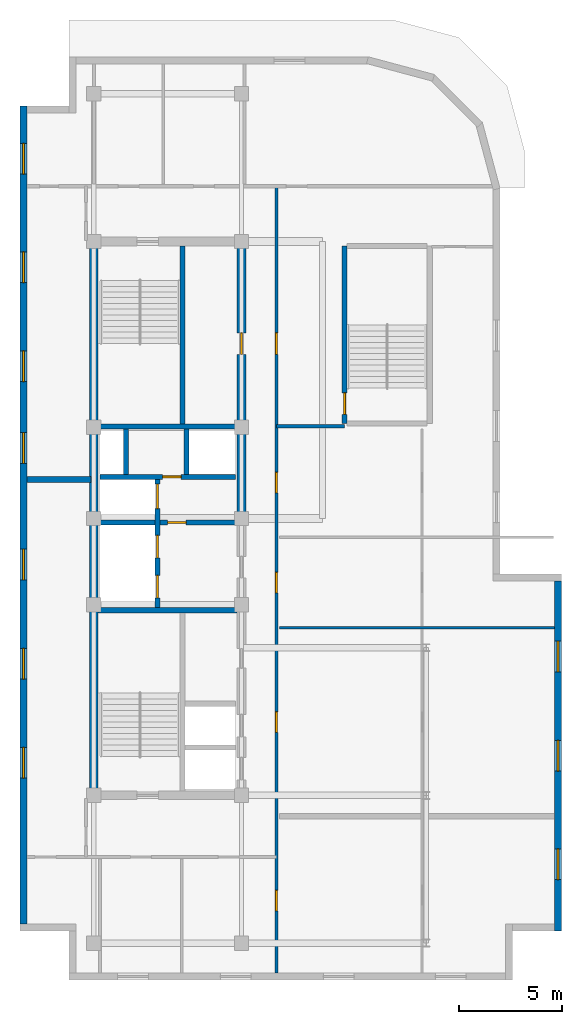
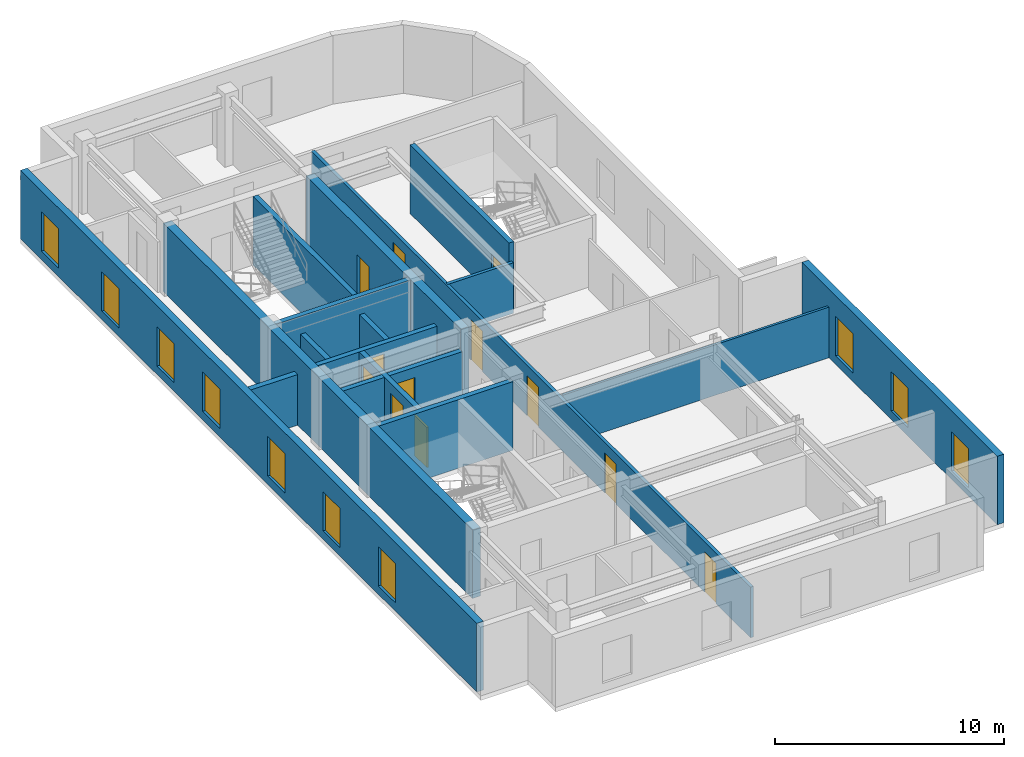
# One storey, part 3 of 5: 17 walls, 12 doors, 10 windows, 22 openings.
"""IFC4 building model written with IfcOpenShell, lengths in metres."""

from ifc_helpers import new_model, entity, si_unit, converted_unit, direction, frame, origin_with_axes, origin_2d_with_axis, place, context, subcontext, project, spatial, polyline, rectangle, outline, extrude, material, layer, layer_set, type_object, element, fill, save


model = new_model("IFC4")

# Units and contexts
model_context = context("Model", 3, precision=1e-05, world=origin_with_axes(), true_north=direction((0.0, 1.0)))
body_context = subcontext(model_context, "Body", "Model", "MODEL_VIEW")
ifc_project = project(units=[si_unit("LENGTHUNIT", "METRE"), si_unit("AREAUNIT", "SQUARE_METRE"), si_unit("VOLUMEUNIT", "CUBIC_METRE"), converted_unit("PLANEANGLEUNIT", "DEGREE", entity("IfcPlaneAngleMeasure", 0.017453292519943295), si_unit("PLANEANGLEUNIT", "RADIAN"), dimensions=[0, 0, 0, 0, 0, 0, 0]), si_unit("MASSUNIT", "GRAM", prefix="KILO"), si_unit("THERMODYNAMICTEMPERATUREUNIT", "KELVIN")], contexts=[model_context])

# Site, building, storey
site_placement = place(None, origin_with_axes())
site = spatial("IfcSite", under=ifc_project, at=site_placement, CompositionType="ELEMENT")
building_placement = place(site_placement, origin_with_axes())
building = spatial("IfcBuilding", under=site, at=building_placement, Name="Varnlund Millrace Tower", CompositionType="ELEMENT")
storey_placement = place(building_placement, frame((0.0, 0.0, 295.8), z_axis=(0.0, 0.0, 1.0), x_axis=(1.0, 0.0, 0.0)))
storey = spatial("IfcBuildingStorey", under=building, at=storey_placement, Name="L73", CompositionType="ELEMENT", Elevation=295.8)

# Wall
ifc_material_1 = material(Name="Concrete C60/75", Category="concrete")
ifc_layer_1 = layer(ifc_material_1, 0.42, Name="Concrete C60/75")
ifc_layer_set_1 = layer_set([ifc_layer_1], Name="Concrete C60/75")
wall_type_1 = type_object("IfcWallType", Name="Type-CoreWall-Shear-420-C60", PredefinedType="SHEAR", material=ifc_layer_set_1)
wall_1_placement = place(storey_placement, frame((11.4, 10.8, 0.0), z_axis=(0.0, 0.0, 1.0), x_axis=(0.0, 1.0, 0.0)))
element("IfcWall", 1, at=wall_1_placement, inside=storey, type_object=wall_type_1, Name="Type-CoreWall-Shear-420-C60", PredefinedType="SHEAR", context=body_context, shape_type="SweptSolid", body=[
    extrude(outline(polyline([(0.0, -0.21), (27.0, -0.21), (27.0, 0.21), (0.0, 0.21), (0.0, -0.21)])), origin_with_axes(), (0.0, 0.0, 1.0), 3.66),
])

# Wall, opening, door
wall_2_placement = place(storey_placement, frame((18.6, 24.3, 0.0), z_axis=(0.0, 0.0, 1.0), x_axis=(0.0, 1.0, 0.0)))
wall_2 = element("IfcWall", 2, at=wall_2_placement, inside=storey, type_object=wall_type_1, Name="Type-CoreWall-Shear-420-C60", PredefinedType="SHEAR", context=body_context, shape_type="SweptSolid", body=[
    extrude(outline(polyline([(0.0, -0.21), (13.5, -0.21), (13.5, 0.21), (0.0, 0.21), (0.0, -0.21)])), origin_with_axes(), (0.0, 0.0, 1.0), 3.66),
])
opening_1_placement = place(wall_2_placement, frame((8.525, 0.0, 0.0), z_axis=(0.0, 0.0, 1.0), x_axis=(1.0, 0.0, 0.0)))
opening_1 = element("IfcOpeningElement", 3, at=opening_1_placement, cuts=wall_2, Name="Opening L73:DR-RECL-M", PredefinedType="OPENING", context=body_context, shape_type="SweptSolid", body=[
    extrude(rectangle(XDim=1.05, YDim=0.44, at=origin_2d_with_axis()), origin_with_axes(), (0.0, 0.0, 1.0), 2.15),
])
ifc_material_2 = material(Name="Smoke-barrier hollow steel fire door", Category="steel")
door_type_1 = type_object("IfcDoorType", Name="Type-FireDoor-Lobby-1050X2150", OperationType="NOTDEFINED", PredefinedType="DOOR", material=ifc_material_2)
door_1_placement = place(wall_2_placement, frame((8.525, 0.0, 0.0), z_axis=(0.0, 0.0, 1.0), x_axis=(1.0, 0.0, 0.0)))
door_1 = element("IfcDoor", 4, at=door_1_placement, inside=storey, type_object=door_type_1, Name="Type-FireDoor-Lobby-1050X2150", OperationType="SINGLE_SWING_LEFT", OverallHeight=2.15, OverallWidth=1.05, PredefinedType="DOOR", context=body_context, shape_type="SweptSolid", body=[
    extrude(rectangle(XDim=1.05, YDim=0.09, at=origin_2d_with_axis()), origin_with_axes(), (0.0, 0.0, 1.0), 2.15),
])
fill(opening_1, door_1)

# Wall, openings, windows
ifc_material_3 = material(Name="Precast concrete C50/60", Category="concrete")
ifc_layer_2 = layer(ifc_material_3, 0.34, Name="Precast concrete C50/60")
ifc_layer_set_2 = layer_set([ifc_layer_2], Name="Precast concrete C50/60")
wall_type_2 = type_object("IfcWallType", Name="Type-ExtWall-Precast-Upper-340", PredefinedType="SOLIDWALL", material=ifc_layer_set_2)
wall_3_placement = place(storey_placement, frame((7.97, 4.54, 0.0), z_axis=(0.0, 0.0, 1.0), x_axis=(0.0, 1.0, 0.0)))
wall_3 = element("IfcWall", 5, at=wall_3_placement, inside=storey, type_object=wall_type_2, Name="Type-ExtWall-Precast-Upper-340", PredefinedType="SOLIDWALL", context=body_context, shape_type="SweptSolid", body=[
    extrude(outline(polyline([(0.0, -0.17), (39.86, -0.17), (39.86, 0.17), (0.0, 0.17), (0.0, -0.17)])), origin_with_axes(), (0.0, 0.0, 1.0), 3.66),
])
opening_2_placement = place(wall_3_placement, frame((7.849, 0.0, 0.45), z_axis=(0.0, 0.0, 1.0), x_axis=(1.0, 0.0, 0.0)))
opening_2 = element("IfcOpeningElement", 6, at=opening_2_placement, cuts=wall_3, Name="Opening L73:WN-05", PredefinedType="OPENING", context=body_context, shape_type="SweptSolid", body=[
    extrude(rectangle(XDim=1.5, YDim=0.36, at=origin_2d_with_axis()), origin_with_axes(), (0.0, 0.0, 1.0), 2.1),
])
opening_3_placement = place(wall_3_placement, frame((12.681, 0.0, 0.45), z_axis=(0.0, 0.0, 1.0), x_axis=(1.0, 0.0, 0.0)))
opening_3 = element("IfcOpeningElement", 7, at=opening_3_placement, cuts=wall_3, Name="Opening L73:WN-06", PredefinedType="OPENING", context=body_context, shape_type="SweptSolid", body=[
    extrude(rectangle(XDim=1.5, YDim=0.36, at=origin_2d_with_axis()), origin_with_axes(), (0.0, 0.0, 1.0), 2.1),
])
opening_4_placement = place(wall_3_placement, frame((17.514, 0.0, 0.45), z_axis=(0.0, 0.0, 1.0), x_axis=(1.0, 0.0, 0.0)))
opening_4 = element("IfcOpeningElement", 8, at=opening_4_placement, cuts=wall_3, Name="Opening L73:WN-07", PredefinedType="OPENING", context=body_context, shape_type="SweptSolid", body=[
    extrude(rectangle(XDim=1.5, YDim=0.36, at=origin_2d_with_axis()), origin_with_axes(), (0.0, 0.0, 1.0), 2.1),
])
opening_5_placement = place(wall_3_placement, frame((23.196, 0.0, 0.45), z_axis=(0.0, 0.0, 1.0), x_axis=(1.0, 0.0, 0.0)))
opening_5 = element("IfcOpeningElement", 9, at=opening_5_placement, cuts=wall_3, Name="Opening L73:WN-08", PredefinedType="OPENING", context=body_context, shape_type="SweptSolid", body=[
    extrude(rectangle(XDim=1.5, YDim=0.36, at=origin_2d_with_axis()), origin_with_axes(), (0.0, 0.0, 1.0), 2.1),
])
opening_6_placement = place(wall_3_placement, frame((27.179, 0.0, 0.45), z_axis=(0.0, 0.0, 1.0), x_axis=(1.0, 0.0, 0.0)))
opening_6 = element("IfcOpeningElement", 10, at=opening_6_placement, cuts=wall_3, Name="Opening L73:WN-09", PredefinedType="OPENING", context=body_context, shape_type="SweptSolid", body=[
    extrude(rectangle(XDim=1.5, YDim=0.36, at=origin_2d_with_axis()), origin_with_axes(), (0.0, 0.0, 1.0), 2.1),
])
opening_7_placement = place(wall_3_placement, frame((32.011, 0.0, 0.45), z_axis=(0.0, 0.0, 1.0), x_axis=(1.0, 0.0, 0.0)))
opening_7 = element("IfcOpeningElement", 11, at=opening_7_placement, cuts=wall_3, Name="Opening L73:WN-10", PredefinedType="OPENING", context=body_context, shape_type="SweptSolid", body=[
    extrude(rectangle(XDim=1.5, YDim=0.36, at=origin_2d_with_axis()), origin_with_axes(), (0.0, 0.0, 1.0), 2.1),
])
opening_8_placement = place(wall_3_placement, frame((37.294, 0.0, 0.45), z_axis=(0.0, 0.0, 1.0), x_axis=(1.0, 0.0, 0.0)))
opening_8 = element("IfcOpeningElement", 12, at=opening_8_placement, cuts=wall_3, Name="Opening L73:WN-11", PredefinedType="OPENING", context=body_context, shape_type="SweptSolid", body=[
    extrude(rectangle(XDim=1.5, YDim=0.36, at=origin_2d_with_axis()), origin_with_axes(), (0.0, 0.0, 1.0), 2.1),
])
ifc_material_4 = material(Name="Argon low-e triple glazing in thermally broken bronze frame", Category="glass")
window_type = type_object("IfcWindowType", Name="Type-Window-Punched-1500X2100", PartitioningType="SINGLE_PANEL", PredefinedType="WINDOW", material=ifc_material_4)
window_1_placement = place(wall_3_placement, frame((7.849, 0.0, 0.45), z_axis=(0.0, 0.0, 1.0), x_axis=(1.0, 0.0, 0.0)))
window_1 = element("IfcWindow", 13, at=window_1_placement, inside=storey, type_object=window_type, Name="Type-Window-Punched-1500X2100", OverallHeight=2.1, OverallWidth=1.5, PredefinedType="WINDOW", context=body_context, shape_type="SweptSolid", body=[
    extrude(rectangle(XDim=1.5, YDim=0.09, at=origin_2d_with_axis()), origin_with_axes(), (0.0, 0.0, 1.0), 2.1),
])
fill(opening_2, window_1)
window_2_placement = place(wall_3_placement, frame((12.681, 0.0, 0.45), z_axis=(0.0, 0.0, 1.0), x_axis=(1.0, 0.0, 0.0)))
window_2 = element("IfcWindow", 14, at=window_2_placement, inside=storey, type_object=window_type, Name="Type-Window-Punched-1500X2100", OverallHeight=2.1, OverallWidth=1.5, PredefinedType="WINDOW", context=body_context, shape_type="SweptSolid", body=[
    extrude(rectangle(XDim=1.5, YDim=0.09, at=origin_2d_with_axis()), origin_with_axes(), (0.0, 0.0, 1.0), 2.1),
])
fill(opening_3, window_2)
window_3_placement = place(wall_3_placement, frame((17.514, 0.0, 0.45), z_axis=(0.0, 0.0, 1.0), x_axis=(1.0, 0.0, 0.0)))
window_3 = element("IfcWindow", 15, at=window_3_placement, inside=storey, type_object=window_type, Name="Type-Window-Punched-1500X2100", OverallHeight=2.1, OverallWidth=1.5, PredefinedType="WINDOW", context=body_context, shape_type="SweptSolid", body=[
    extrude(rectangle(XDim=1.5, YDim=0.09, at=origin_2d_with_axis()), origin_with_axes(), (0.0, 0.0, 1.0), 2.1),
])
fill(opening_4, window_3)
window_4_placement = place(wall_3_placement, frame((23.196, 0.0, 0.45), z_axis=(0.0, 0.0, 1.0), x_axis=(1.0, 0.0, 0.0)))
window_4 = element("IfcWindow", 16, at=window_4_placement, inside=storey, type_object=window_type, Name="Type-Window-Punched-1500X2100", OverallHeight=2.1, OverallWidth=1.5, PredefinedType="WINDOW", context=body_context, shape_type="SweptSolid", body=[
    extrude(rectangle(XDim=1.5, YDim=0.09, at=origin_2d_with_axis()), origin_with_axes(), (0.0, 0.0, 1.0), 2.1),
])
fill(opening_5, window_4)
window_5_placement = place(wall_3_placement, frame((27.179, 0.0, 0.45), z_axis=(0.0, 0.0, 1.0), x_axis=(1.0, 0.0, 0.0)))
window_5 = element("IfcWindow", 17, at=window_5_placement, inside=storey, type_object=window_type, Name="Type-Window-Punched-1500X2100", OverallHeight=2.1, OverallWidth=1.5, PredefinedType="WINDOW", context=body_context, shape_type="SweptSolid", body=[
    extrude(rectangle(XDim=1.5, YDim=0.09, at=origin_2d_with_axis()), origin_with_axes(), (0.0, 0.0, 1.0), 2.1),
])
fill(opening_6, window_5)
window_6_placement = place(wall_3_placement, frame((32.011, 0.0, 0.45), z_axis=(0.0, 0.0, 1.0), x_axis=(1.0, 0.0, 0.0)))
window_6 = element("IfcWindow", 18, at=window_6_placement, inside=storey, type_object=window_type, Name="Type-Window-Punched-1500X2100", OverallHeight=2.1, OverallWidth=1.5, PredefinedType="WINDOW", context=body_context, shape_type="SweptSolid", body=[
    extrude(rectangle(XDim=1.5, YDim=0.09, at=origin_2d_with_axis()), origin_with_axes(), (0.0, 0.0, 1.0), 2.1),
])
fill(opening_7, window_6)
window_7_placement = place(wall_3_placement, frame((37.294, 0.0, 0.45), z_axis=(0.0, 0.0, 1.0), x_axis=(1.0, 0.0, 0.0)))
window_7 = element("IfcWindow", 19, at=window_7_placement, inside=storey, type_object=window_type, Name="Type-Window-Punched-1500X2100", OverallHeight=2.1, OverallWidth=1.5, PredefinedType="WINDOW", context=body_context, shape_type="SweptSolid", body=[
    extrude(rectangle(XDim=1.5, YDim=0.09, at=origin_2d_with_axis()), origin_with_axes(), (0.0, 0.0, 1.0), 2.1),
])
fill(opening_8, window_7)

wall_4_placement = place(storey_placement, frame((34.03, 21.26, 0.0), z_axis=(0.0, 0.0, 1.0), x_axis=(0.0, -1.0, 0.0)))
wall_4 = element("IfcWall", 20, at=wall_4_placement, inside=storey, type_object=wall_type_2, Name="Type-ExtWall-Precast-Upper-340", PredefinedType="SOLIDWALL", context=body_context, shape_type="SweptSolid", body=[
    extrude(outline(polyline([(0.0, -0.17), (17.06, -0.17), (17.06, 0.17), (0.0, 0.17), (0.0, -0.17)])), origin_with_axes(), (0.0, 0.0, 1.0), 3.66),
])
opening_9_placement = place(wall_4_placement, frame((3.693, 0.0, 0.45), z_axis=(0.0, 0.0, 1.0), x_axis=(1.0, 0.0, 0.0)))
opening_9 = element("IfcOpeningElement", 21, at=opening_9_placement, cuts=wall_4, Name="Opening L73:WN-16", PredefinedType="OPENING", context=body_context, shape_type="SweptSolid", body=[
    extrude(rectangle(XDim=1.5, YDim=0.36, at=origin_2d_with_axis()), origin_with_axes(), (0.0, 0.0, 1.0), 2.1),
])
opening_10_placement = place(wall_4_placement, frame((8.53, 0.0, 0.45), z_axis=(0.0, 0.0, 1.0), x_axis=(1.0, 0.0, 0.0)))
opening_10 = element("IfcOpeningElement", 22, at=opening_10_placement, cuts=wall_4, Name="Opening L73:WN-17", PredefinedType="OPENING", context=body_context, shape_type="SweptSolid", body=[
    extrude(rectangle(XDim=1.5, YDim=0.36, at=origin_2d_with_axis()), origin_with_axes(), (0.0, 0.0, 1.0), 2.1),
])
opening_11_placement = place(wall_4_placement, frame((13.817, 0.0, 0.45), z_axis=(0.0, 0.0, 1.0), x_axis=(1.0, 0.0, 0.0)))
opening_11 = element("IfcOpeningElement", 23, at=opening_11_placement, cuts=wall_4, Name="Opening L73:WN-18", PredefinedType="OPENING", context=body_context, shape_type="SweptSolid", body=[
    extrude(rectangle(XDim=1.5, YDim=0.36, at=origin_2d_with_axis()), origin_with_axes(), (0.0, 0.0, 1.0), 2.1),
])
window_8_placement = place(wall_4_placement, frame((3.693, 0.0, 0.45), z_axis=(0.0, 0.0, 1.0), x_axis=(1.0, 0.0, 0.0)))
window_8 = element("IfcWindow", 24, at=window_8_placement, inside=storey, type_object=window_type, Name="Type-Window-Punched-1500X2100", OverallHeight=2.1, OverallWidth=1.5, PredefinedType="WINDOW", context=body_context, shape_type="SweptSolid", body=[
    extrude(rectangle(XDim=1.5, YDim=0.09, at=origin_2d_with_axis()), origin_with_axes(), (0.0, 0.0, 1.0), 2.1),
])
fill(opening_9, window_8)
window_9_placement = place(wall_4_placement, frame((8.53, 0.0, 0.45), z_axis=(0.0, 0.0, 1.0), x_axis=(1.0, 0.0, 0.0)))
window_9 = element("IfcWindow", 25, at=window_9_placement, inside=storey, type_object=window_type, Name="Type-Window-Punched-1500X2100", OverallHeight=2.1, OverallWidth=1.5, PredefinedType="WINDOW", context=body_context, shape_type="SweptSolid", body=[
    extrude(rectangle(XDim=1.5, YDim=0.09, at=origin_2d_with_axis()), origin_with_axes(), (0.0, 0.0, 1.0), 2.1),
])
fill(opening_10, window_9)
window_10_placement = place(wall_4_placement, frame((13.817, 0.0, 0.45), z_axis=(0.0, 0.0, 1.0), x_axis=(1.0, 0.0, 0.0)))
window_10 = element("IfcWindow", 26, at=window_10_placement, inside=storey, type_object=window_type, Name="Type-Window-Punched-1500X2100", OverallHeight=2.1, OverallWidth=1.5, PredefinedType="WINDOW", context=body_context, shape_type="SweptSolid", body=[
    extrude(rectangle(XDim=1.5, YDim=0.09, at=origin_2d_with_axis()), origin_with_axes(), (0.0, 0.0, 1.0), 2.1),
])
fill(opening_11, window_10)

# Wall
ifc_material_5 = material(Name="Double-stud STC-60 conference acoustic partition", Category="gypsum")
ifc_layer_3 = layer(ifc_material_5, 0.28, Name="Double-stud STC-60 conference acoustic partition")
ifc_layer_set_3 = layer_set([ifc_layer_3], Name="Double-stud STC-60 conference acoustic partition")
wall_type_3 = type_object("IfcWallType", Name="Type-Partition-Acoustic-280", PredefinedType="PARTITIONING", material=ifc_layer_set_3)
wall_5_placement = place(storey_placement, frame((8.135, 26.2, 0.0), z_axis=(0.0, 0.0, 1.0), x_axis=(1.0, 0.0, 0.0)))
element("IfcWall", 27, at=wall_5_placement, inside=storey, type_object=wall_type_3, Name="Type-Partition-Acoustic-280", PredefinedType="PARTITIONING", context=body_context, shape_type="SweptSolid", body=[
    extrude(outline(polyline([(0.0, -0.14), (3.135, -0.14), (3.135, 0.14), (0.0, 0.14), (0.0, -0.14)])), origin_with_axes(), (0.0, 0.0, 1.0), 2.7),
])

# Wall, openings, doors
ifc_material_6 = material(Name="Fire-rated gypsum board on cold-formed steel framing", Category="steel")
ifc_layer_4 = layer(ifc_material_6, 0.16, Name="Fire-rated gypsum board on cold-formed steel framing")
ifc_layer_set_4 = layer_set([ifc_layer_4], Name="Fire-rated gypsum board on cold-formed steel framing")
wall_type_4 = type_object("IfcWallType", Name="Type-Partition-Corridor-160", PredefinedType="PARTITIONING", material=ifc_layer_set_4)
wall_6_placement = place(storey_placement, frame((20.3, 2.14, 0.0), z_axis=(0.0, 0.0, 1.0), x_axis=(0.0, 1.0, 0.0)))
wall_6 = element("IfcWall", 28, at=wall_6_placement, inside=storey, type_object=wall_type_4, Name="Type-Partition-Corridor-160", PredefinedType="PARTITIONING", context=body_context, shape_type="SweptSolid", body=[
    extrude(outline(polyline([(0.0, -0.08), (38.36, -0.08), (38.36, 0.08), (0.0, 0.08), (0.0, -0.08)])), origin_with_axes(), (0.0, 0.0, 1.0), 2.7),
])
opening_12_placement = place(wall_6_placement, frame((30.685, 0.0, 0.0), z_axis=(0.0, 0.0, 1.0), x_axis=(1.0, 0.0, 0.0)))
opening_12 = element("IfcOpeningElement", 29, at=opening_12_placement, cuts=wall_6, Name="Opening L73:DR-STA3-COR", PredefinedType="OPENING", context=body_context, shape_type="SweptSolid", body=[
    extrude(rectangle(XDim=1.05, YDim=0.18, at=origin_2d_with_axis()), origin_with_axes(), (0.0, 0.0, 1.0), 2.15),
])
opening_13_placement = place(wall_6_placement, frame((3.524, 0.0, 0.0), z_axis=(0.0, 0.0, 1.0), x_axis=(1.0, 0.0, 0.0)))
opening_13 = element("IfcOpeningElement", 30, at=opening_13_placement, cuts=wall_6, Name="Opening L73:DR-SUM-01", PredefinedType="OPENING", context=body_context, shape_type="SweptSolid", body=[
    extrude(rectangle(XDim=1.0, YDim=0.18, at=origin_2d_with_axis()), origin_with_axes(), (0.0, 0.0, 1.0), 2.15),
])
opening_14_placement = place(wall_6_placement, frame((12.2305, 0.0, 0.0), z_axis=(0.0, 0.0, 1.0), x_axis=(1.0, 0.0, 0.0)))
opening_14 = element("IfcOpeningElement", 31, at=opening_14_placement, cuts=wall_6, Name="Opening L73:DR-SUM-02", PredefinedType="OPENING", context=body_context, shape_type="SweptSolid", body=[
    extrude(rectangle(XDim=1.0, YDim=0.18, at=origin_2d_with_axis()), origin_with_axes(), (0.0, 0.0, 1.0), 2.15),
])
opening_15_placement = place(wall_6_placement, frame((19.033, 0.0, 0.0), z_axis=(0.0, 0.0, 1.0), x_axis=(1.0, 0.0, 0.0)))
opening_15 = element("IfcOpeningElement", 32, at=opening_15_placement, cuts=wall_6, Name="Opening L73:DR-SUM-03", PredefinedType="OPENING", context=body_context, shape_type="SweptSolid", body=[
    extrude(rectangle(XDim=1.0, YDim=0.18, at=origin_2d_with_axis()), origin_with_axes(), (0.0, 0.0, 1.0), 2.15),
])
opening_16_placement = place(wall_6_placement, frame((23.9115, 0.0, 0.0), z_axis=(0.0, 0.0, 1.0), x_axis=(1.0, 0.0, 0.0)))
opening_16 = element("IfcOpeningElement", 33, at=opening_16_placement, cuts=wall_6, Name="Opening L73:DR-SUM-04", PredefinedType="OPENING", context=body_context, shape_type="SweptSolid", body=[
    extrude(rectangle(XDim=1.0, YDim=0.18, at=origin_2d_with_axis()), origin_with_axes(), (0.0, 0.0, 1.0), 2.15),
])
door_2_placement = place(wall_6_placement, frame((30.685, 0.0, 0.0), z_axis=(0.0, 0.0, 1.0), x_axis=(1.0, 0.0, 0.0)))
door_2 = element("IfcDoor", 34, at=door_2_placement, inside=storey, type_object=door_type_1, Name="Type-FireDoor-Lobby-1050X2150", OperationType="SINGLE_SWING_LEFT", OverallHeight=2.15, OverallWidth=1.05, PredefinedType="DOOR", context=body_context, shape_type="SweptSolid", body=[
    extrude(rectangle(XDim=1.05, YDim=0.09, at=origin_2d_with_axis()), origin_with_axes(), (0.0, 0.0, 1.0), 2.15),
])
fill(opening_12, door_2)
ifc_material_7 = material(Name="Solid-core white oak and bronze frame door")
door_type_2 = type_object("IfcDoorType", Name="Type-IntDoor-Office-1000X2150", OperationType="NOTDEFINED", PredefinedType="DOOR", material=ifc_material_7)
door_3_placement = place(wall_6_placement, frame((3.524, 0.0, 0.0), z_axis=(0.0, 0.0, 1.0), x_axis=(1.0, 0.0, 0.0)))
door_3 = element("IfcDoor", 35, at=door_3_placement, inside=storey, type_object=door_type_2, Name="Type-IntDoor-Office-1000X2150", OperationType="SINGLE_SWING_LEFT", OverallHeight=2.15, OverallWidth=1.0, PredefinedType="DOOR", context=body_context, shape_type="SweptSolid", body=[
    extrude(rectangle(XDim=1.0, YDim=0.09, at=origin_2d_with_axis()), origin_with_axes(), (0.0, 0.0, 1.0), 2.15),
])
fill(opening_13, door_3)
door_4_placement = place(wall_6_placement, frame((12.2305, 0.0, 0.0), z_axis=(0.0, 0.0, 1.0), x_axis=(1.0, 0.0, 0.0)))
door_4 = element("IfcDoor", 36, at=door_4_placement, inside=storey, type_object=door_type_2, Name="Type-IntDoor-Office-1000X2150", OperationType="SINGLE_SWING_RIGHT", OverallHeight=2.15, OverallWidth=1.0, PredefinedType="DOOR", context=body_context, shape_type="SweptSolid", body=[
    extrude(rectangle(XDim=1.0, YDim=0.09, at=origin_2d_with_axis()), origin_with_axes(), (0.0, 0.0, 1.0), 2.15),
])
fill(opening_14, door_4)
door_5_placement = place(wall_6_placement, frame((19.033, 0.0, 0.0), z_axis=(0.0, 0.0, 1.0), x_axis=(1.0, 0.0, 0.0)))
door_5 = element("IfcDoor", 37, at=door_5_placement, inside=storey, type_object=door_type_2, Name="Type-IntDoor-Office-1000X2150", OperationType="SINGLE_SWING_LEFT", OverallHeight=2.15, OverallWidth=1.0, PredefinedType="DOOR", context=body_context, shape_type="SweptSolid", body=[
    extrude(rectangle(XDim=1.0, YDim=0.09, at=origin_2d_with_axis()), origin_with_axes(), (0.0, 0.0, 1.0), 2.15),
])
fill(opening_15, door_5)
door_6_placement = place(wall_6_placement, frame((23.9115, 0.0, 0.0), z_axis=(0.0, 0.0, 1.0), x_axis=(1.0, 0.0, 0.0)))
door_6 = element("IfcDoor", 38, at=door_6_placement, inside=storey, type_object=door_type_2, Name="Type-IntDoor-Office-1000X2150", OperationType="SINGLE_SWING_RIGHT", OverallHeight=2.15, OverallWidth=1.0, PredefinedType="DOOR", context=body_context, shape_type="SweptSolid", body=[
    extrude(rectangle(XDim=1.0, YDim=0.09, at=origin_2d_with_axis()), origin_with_axes(), (0.0, 0.0, 1.0), 2.15),
])
fill(opening_16, door_6)

# Walls
wall_7_placement = place(storey_placement, frame((20.3, 28.8, 0.0), z_axis=(0.0, 0.0, 1.0), x_axis=(1.0, 0.0, 0.0)))
element("IfcWall", 39, at=wall_7_placement, inside=storey, type_object=wall_type_4, Name="Type-Partition-Corridor-160", PredefinedType="PARTITIONING", context=body_context, shape_type="SweptSolid", body=[
    extrude(outline(polyline([(0.0, -0.08), (3.32, -0.08), (3.32, 0.08), (0.0, 0.08), (0.0, -0.08)])), origin_with_axes(), (0.0, 0.0, 1.0), 2.7),
])
ifc_material_8 = material(Name="Gypsum board tenant partition", Category="gypsum")
ifc_layer_5 = layer(ifc_material_8, 0.125, Name="Gypsum board tenant partition")
ifc_layer_set_5 = layer_set([ifc_layer_5], Name="Gypsum board tenant partition")
wall_type_5 = type_object("IfcWallType", Name="Type-Partition-Tenant-125", PredefinedType="PARTITIONING", material=ifc_layer_set_5)
wall_8_placement = place(storey_placement, frame((20.45, 18.963, 0.0), z_axis=(0.0, 0.0, 1.0), x_axis=(1.0, 0.0, 0.0)))
element("IfcWall", 40, at=wall_8_placement, inside=storey, type_object=wall_type_5, Name="Type-Partition-Tenant-125", PredefinedType="PARTITIONING", context=body_context, shape_type="SweptSolid", body=[
    extrude(outline(polyline([(0.0, -0.0625), (13.415, -0.0625), (13.415, 0.0625), (0.0, 0.0625), (0.0, -0.0625)])), origin_with_axes(), (0.0, 0.0, 1.0), 2.7),
])

# Wall, openings, doors
ifc_layer_6 = layer(ifc_material_1, 0.25, Name="Concrete C60/75")
ifc_layer_set_6 = layer_set([ifc_layer_6], Name="Concrete C60/75")
wall_type_6 = type_object("IfcWallType", Name="Type-ShaftWall-Fire-250", PredefinedType="SOLIDWALL", material=ifc_layer_set_6)
wall_9_placement = place(storey_placement, frame((14.5, 19.95, 0.0), z_axis=(0.0, 0.0, 1.0), x_axis=(0.0, 1.0, 0.0)))
wall_9 = element("IfcWall", 41, at=wall_9_placement, inside=storey, type_object=wall_type_6, Name="Type-ShaftWall-Fire-250", PredefinedType="SOLIDWALL", context=body_context, shape_type="SweptSolid", body=[
    extrude(outline(polyline([(0.0, -0.125), (6.25, -0.125), (6.25, 0.125), (0.0, 0.125), (0.0, -0.125)])), origin_with_axes(), (0.0, 0.0, 1.0), 2.7),
])
opening_17_placement = place(wall_9_placement, frame((1.025, 0.0, 0.0), z_axis=(0.0, 0.0, 1.0), x_axis=(1.0, 0.0, 0.0)))
opening_17 = element("IfcOpeningElement", 42, at=opening_17_placement, cuts=wall_9, Name="Opening L73:LD-FSAE1", PredefinedType="OPENING", context=body_context, shape_type="SweptSolid", body=[
    extrude(rectangle(XDim=1.1, YDim=0.27, at=origin_2d_with_axis()), origin_with_axes(), (0.0, 0.0, 1.0), 2.15),
])
opening_18_placement = place(wall_9_placement, frame((2.975, 0.0, 0.0), z_axis=(0.0, 0.0, 1.0), x_axis=(1.0, 0.0, 0.0)))
opening_18 = element("IfcOpeningElement", 43, at=opening_18_placement, cuts=wall_9, Name="Opening L73:LD-FSAE2", PredefinedType="OPENING", context=body_context, shape_type="SweptSolid", body=[
    extrude(rectangle(XDim=1.1, YDim=0.27, at=origin_2d_with_axis()), origin_with_axes(), (0.0, 0.0, 1.0), 2.15),
])
opening_19_placement = place(wall_9_placement, frame((5.425, 0.0, 0.0), z_axis=(0.0, 0.0, 1.0), x_axis=(1.0, 0.0, 0.0)))
opening_19 = element("IfcOpeningElement", 44, at=opening_19_placement, cuts=wall_9, Name="Opening L73:LD-SRV1", PredefinedType="OPENING", context=body_context, shape_type="SweptSolid", body=[
    extrude(rectangle(XDim=1.2, YDim=0.27, at=origin_2d_with_axis()), origin_with_axes(), (0.0, 0.0, 1.0), 2.15),
])
ifc_material_9 = material(Name="Stainless and architectural bronze sliding landing door")
door_type_3 = type_object("IfcDoorType", Name="Type-LiftLandingDoor-1100X2150", OperationType="NOTDEFINED", PredefinedType="DOOR", material=ifc_material_9)
door_7_placement = place(wall_9_placement, frame((1.025, 0.0, 0.0), z_axis=(0.0, 0.0, 1.0), x_axis=(1.0, 0.0, 0.0)))
door_7 = element("IfcDoor", 45, at=door_7_placement, inside=storey, type_object=door_type_3, Name="Type-LiftLandingDoor-1100X2150", OperationType="SLIDING_TO_LEFT", OverallHeight=2.15, OverallWidth=1.1, PredefinedType="DOOR", context=body_context, shape_type="SweptSolid", body=[
    extrude(rectangle(XDim=1.1, YDim=0.09, at=origin_2d_with_axis()), origin_with_axes(), (0.0, 0.0, 1.0), 2.15),
])
fill(opening_17, door_7)
door_8_placement = place(wall_9_placement, frame((2.975, 0.0, 0.0), z_axis=(0.0, 0.0, 1.0), x_axis=(1.0, 0.0, 0.0)))
door_8 = element("IfcDoor", 46, at=door_8_placement, inside=storey, type_object=door_type_3, Name="Type-LiftLandingDoor-1100X2150", OperationType="SLIDING_TO_RIGHT", OverallHeight=2.15, OverallWidth=1.1, PredefinedType="DOOR", context=body_context, shape_type="SweptSolid", body=[
    extrude(rectangle(XDim=1.1, YDim=0.09, at=origin_2d_with_axis()), origin_with_axes(), (0.0, 0.0, 1.0), 2.15),
])
fill(opening_18, door_8)
ifc_material_10 = material(Name="Heavy-duty freight sliding landing door")
door_type_4 = type_object("IfcDoorType", Name="Type-LiftLandingDoor-Service-1200X2150", OperationType="NOTDEFINED", PredefinedType="DOOR", material=ifc_material_10)
door_9_placement = place(wall_9_placement, frame((5.425, 0.0, 0.0), z_axis=(0.0, 0.0, 1.0), x_axis=(1.0, 0.0, 0.0)))
door_9 = element("IfcDoor", 47, at=door_9_placement, inside=storey, type_object=door_type_4, Name="Type-LiftLandingDoor-Service-1200X2150", OperationType="DOUBLE_DOOR_SLIDING", OverallHeight=2.15, OverallWidth=1.2, PredefinedType="DOOR", context=body_context, shape_type="SweptSolid", body=[
    extrude(rectangle(XDim=1.2, YDim=0.09, at=origin_2d_with_axis()), origin_with_axes(), (0.0, 0.0, 1.0), 2.15),
])
fill(opening_19, door_9)

# Wall, opening, door
wall_10_placement = place(storey_placement, frame((11.7, 24.1, 0.0), z_axis=(0.0, 0.0, 1.0), x_axis=(1.0, 0.0, 0.0)))
wall_10 = element("IfcWall", 48, at=wall_10_placement, inside=storey, type_object=wall_type_6, Name="Type-ShaftWall-Fire-250", PredefinedType="SOLIDWALL", context=body_context, shape_type="SweptSolid", body=[
    extrude(outline(polyline([(0.0, -0.125), (6.6, -0.125), (6.6, 0.125), (0.0, 0.125), (0.0, -0.125)])), origin_with_axes(), (0.0, 0.0, 1.0), 2.7),
])
opening_20_placement = place(wall_10_placement, frame((3.75, 0.0, 0.0), z_axis=(0.0, 0.0, 1.0), x_axis=(1.0, 0.0, 0.0)))
opening_20 = element("IfcOpeningElement", 49, at=opening_20_placement, cuts=wall_10, Name="Opening L73:DR-CA-SRV1", PredefinedType="OPENING", context=body_context, shape_type="SweptSolid", body=[
    extrude(rectangle(XDim=0.9, YDim=0.27, at=origin_2d_with_axis()), origin_with_axes(), (0.0, 0.0, 1.0), 2.15),
])
ifc_material_11 = material(Name="Fire-rated hollow steel service closet door", Category="steel")
door_type_5 = type_object("IfcDoorType", Name="Type-FireDoor-Closet-900X2150", OperationType="NOTDEFINED", PredefinedType="DOOR", material=ifc_material_11)
door_10_placement = place(wall_10_placement, frame((3.75, 0.0, 0.0), z_axis=(0.0, 0.0, 1.0), x_axis=(1.0, 0.0, 0.0)))
door_10 = element("IfcDoor", 50, at=door_10_placement, inside=storey, type_object=door_type_5, Name="Type-FireDoor-Closet-900X2150", OperationType="SINGLE_SWING_LEFT", OverallHeight=2.15, OverallWidth=0.9, PredefinedType="DOOR", context=body_context, shape_type="SweptSolid", body=[
    extrude(rectangle(XDim=0.9, YDim=0.09, at=origin_2d_with_axis()), origin_with_axes(), (0.0, 0.0, 1.0), 2.15),
])
fill(opening_20, door_10)

wall_11_placement = place(storey_placement, frame((11.7, 26.325, 0.0), z_axis=(0.0, 0.0, 1.0), x_axis=(1.0, 0.0, 0.0)))
wall_11 = element("IfcWall", 51, at=wall_11_placement, inside=storey, type_object=wall_type_6, Name="Type-ShaftWall-Fire-250", PredefinedType="SOLIDWALL", context=body_context, shape_type="SweptSolid", body=[
    extrude(outline(polyline([(0.0, -0.125), (6.6, -0.125), (6.6, 0.125), (0.0, 0.125), (0.0, -0.125)])), origin_with_axes(), (0.0, 0.0, 1.0), 2.7),
])
opening_21_placement = place(wall_11_placement, frame((3.5, 0.0, 0.0), z_axis=(0.0, 0.0, 1.0), x_axis=(1.0, 0.0, 0.0)))
opening_21 = element("IfcOpeningElement", 52, at=opening_21_placement, cuts=wall_11, Name="Opening L73:DR-CA-ELC", PredefinedType="OPENING", context=body_context, shape_type="SweptSolid", body=[
    extrude(rectangle(XDim=0.9, YDim=0.27, at=origin_2d_with_axis()), origin_with_axes(), (0.0, 0.0, 1.0), 2.15),
])
door_11_placement = place(wall_11_placement, frame((3.5, 0.0, 0.0), z_axis=(0.0, 0.0, 1.0), x_axis=(1.0, 0.0, 0.0)))
door_11 = element("IfcDoor", 53, at=door_11_placement, inside=storey, type_object=door_type_5, Name="Type-FireDoor-Closet-900X2150", OperationType="SINGLE_SWING_LEFT", OverallHeight=2.15, OverallWidth=0.9, PredefinedType="DOOR", context=body_context, shape_type="SweptSolid", body=[
    extrude(rectangle(XDim=0.9, YDim=0.09, at=origin_2d_with_axis()), origin_with_axes(), (0.0, 0.0, 1.0), 2.15),
])
fill(opening_21, door_11)

# Walls
for number, where, z_axis, x_axis, name in (
    (54, (12.96, 26.45, 0.0), (0.0, 0.0, 1.0), (0.0, 1.0, 0.0), "Type-ShaftWall-Fire-250"),
    (55, (15.925, 26.45, 0.0), (0.0, 0.0, 1.0), (0.0, 1.0, 0.0), "Type-ShaftWall-Fire-250"),
):
    element("IfcWall", number, at=place(storey_placement, frame(where, z_axis=z_axis, x_axis=x_axis)), inside=storey, type_object=wall_type_6, Name=name, PredefinedType="SOLIDWALL", context=body_context, shape_type="SweptSolid", body=[
        extrude(outline(polyline([(0.0, -0.125), (2.2, -0.125), (2.2, 0.125), (0.0, 0.125), (0.0, -0.125)])), origin_with_axes(), (0.0, 0.0, 1.0), 2.7),
    ])
wall_type_7 = type_object("IfcWallType", Name="Type-StairWall-Shear-250", PredefinedType="SHEAR", material=ifc_layer_set_6)
wall_12_placement = place(storey_placement, frame((11.61, 19.825, 0.0), z_axis=(0.0, 0.0, 1.0), x_axis=(1.0, 0.0, 0.0)))
element("IfcWall", 56, at=wall_12_placement, inside=storey, type_object=wall_type_7, Name="Type-StairWall-Shear-250", PredefinedType="SHEAR", context=body_context, shape_type="SweptSolid", body=[
    extrude(outline(polyline([(0.0, -0.125), (6.78, -0.125), (6.78, 0.125), (0.0, 0.125), (0.0, -0.125)])), origin_with_axes(), (0.0, 0.0, 1.0), 3.66),
])
wall_13_placement = place(storey_placement, frame((15.725, 28.9, 0.0), z_axis=(0.0, 0.0, 1.0), x_axis=(0.0, 1.0, 0.0)))
element("IfcWall", 57, at=wall_13_placement, inside=storey, type_object=wall_type_7, Name="Type-StairWall-Shear-250", PredefinedType="SHEAR", context=body_context, shape_type="SweptSolid", body=[
    extrude(outline(polyline([(0.0, -0.125), (8.69, -0.125), (8.69, 0.125), (0.0, 0.125), (0.0, -0.125)])), origin_with_axes(), (0.0, 0.0, 1.0), 3.66),
])
wall_14_placement = place(storey_placement, frame((11.61, 28.775, 0.0), z_axis=(0.0, 0.0, 1.0), x_axis=(1.0, 0.0, 0.0)))
element("IfcWall", 58, at=wall_14_placement, inside=storey, type_object=wall_type_7, Name="Type-StairWall-Shear-250", PredefinedType="SHEAR", context=body_context, shape_type="SweptSolid", body=[
    extrude(outline(polyline([(0.0, -0.125), (6.78, -0.125), (6.78, 0.125), (0.0, 0.125), (0.0, -0.125)])), origin_with_axes(), (0.0, 0.0, 1.0), 3.66),
])

# Wall, opening, door
wall_15_placement = place(storey_placement, frame((23.625, 28.925, 0.0), z_axis=(0.0, 0.0, 1.0), x_axis=(0.0, 1.0, 0.0)))
wall_15 = element("IfcWall", 59, at=wall_15_placement, inside=storey, type_object=wall_type_7, Name="Type-StairWall-Shear-250", PredefinedType="SHEAR", context=body_context, shape_type="SweptSolid", body=[
    extrude(outline(polyline([(0.0, -0.125), (8.65, -0.125), (8.65, 0.125), (0.0, 0.125), (0.0, -0.125)])), origin_with_axes(), (0.0, 0.0, 1.0), 3.66),
])
opening_22_placement = place(wall_15_placement, frame((0.975, 0.0, 0.0), z_axis=(0.0, 0.0, 1.0), x_axis=(1.0, 0.0, 0.0)))
opening_22 = element("IfcOpeningElement", 60, at=opening_22_placement, cuts=wall_15, Name="Opening L73:DR-STA3", PredefinedType="OPENING", context=body_context, shape_type="SweptSolid", body=[
    extrude(rectangle(XDim=1.05, YDim=0.27, at=origin_2d_with_axis()), origin_with_axes(), (0.0, 0.0, 1.0), 2.15),
])
ifc_material_12 = material(Name="Fire-rated hollow steel door", Category="steel")
door_type_6 = type_object("IfcDoorType", Name="Type-FireDoor-Stair-1050X2150", OperationType="NOTDEFINED", PredefinedType="DOOR", material=ifc_material_12)
door_12_placement = place(wall_15_placement, frame((0.975, 0.0, 0.0), z_axis=(0.0, 0.0, 1.0), x_axis=(1.0, 0.0, 0.0)))
door_12 = element("IfcDoor", 61, at=door_12_placement, inside=storey, type_object=door_type_6, Name="Type-FireDoor-Stair-1050X2150", OperationType="SINGLE_SWING_LEFT", OverallHeight=2.15, OverallWidth=1.05, PredefinedType="DOOR", context=body_context, shape_type="SweptSolid", body=[
    extrude(rectangle(XDim=1.05, YDim=0.09, at=origin_2d_with_axis()), origin_with_axes(), (0.0, 0.0, 1.0), 2.15),
])
fill(opening_22, door_12)

save(model, "model.ifc")
